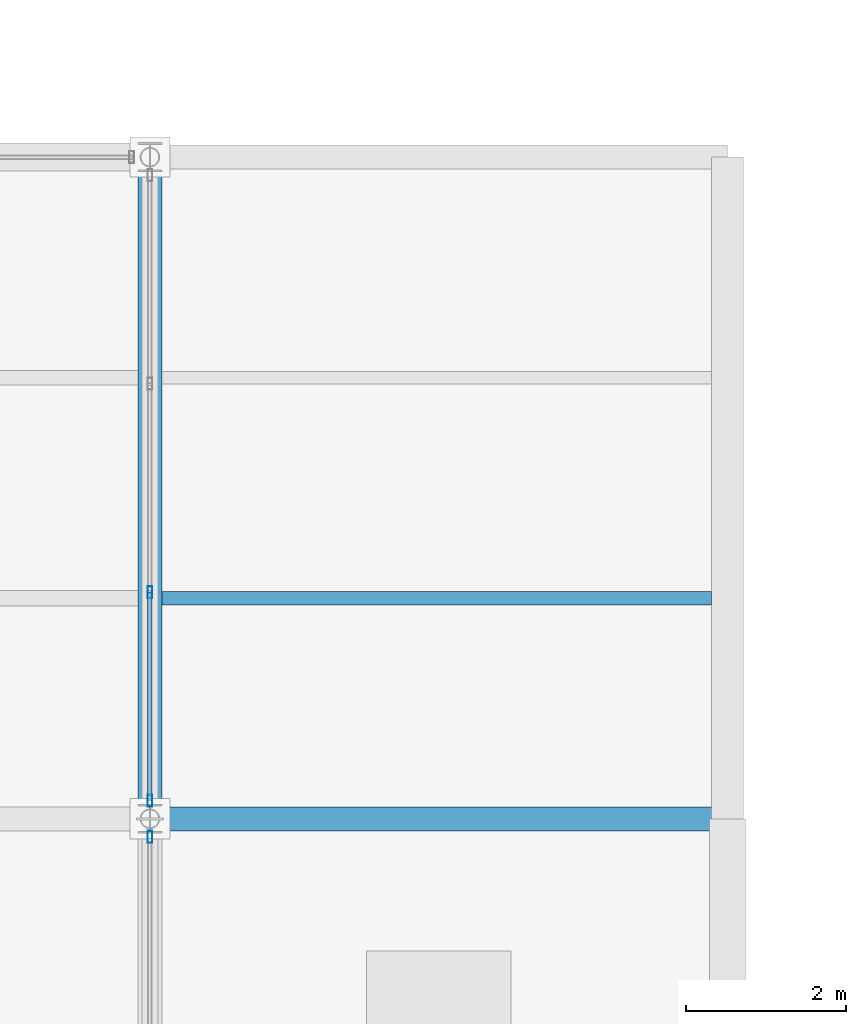
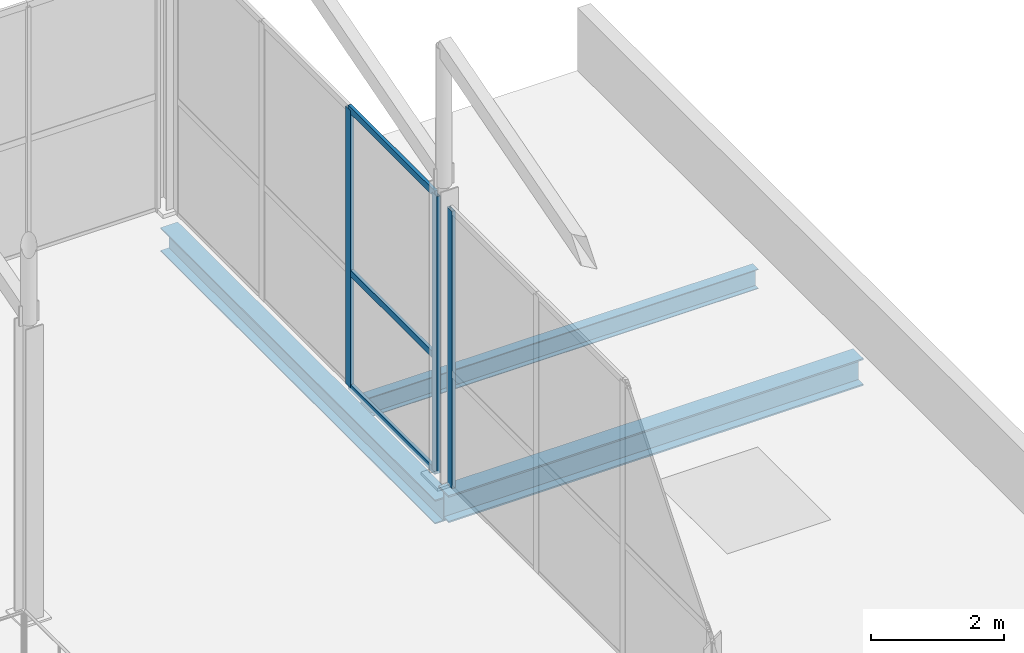
# One storey, part 70 of 141: 6 members, 3 beams, 2 elements without a shape of their own.
"""IFC4 building model written with IfcOpenShell, lengths in metres."""

from ifc_helpers import new_model, si_unit, direction, frame, origin, origin_2d, place, context, subcontext, project, spatial, hollow_rectangle, i_section, extrude, material, layer, layer_set, material_profile, profile_set, type_object, element, aggregate, save


model = new_model("IFC4")

# Units and contexts
model_context = context("Model", 3, precision=1e-05, world=origin(), true_north=direction((0.0, 1.0)))
body_context = subcontext(model_context, "Body", "Model", "MODEL_VIEW")
ifc_project = project(units=[si_unit("LENGTHUNIT", "METRE"), si_unit("AREAUNIT", "SQUARE_METRE"), si_unit("VOLUMEUNIT", "CUBIC_METRE"), si_unit("PLANEANGLEUNIT", "RADIAN"), si_unit("MASSUNIT", "GRAM", prefix="KILO")], contexts=[model_context])

# Site, building, storey
site_placement = place(None, origin())
site = spatial("IfcSite", under=ifc_project, at=site_placement, CompositionType="ELEMENT")
building_placement = place(site_placement, origin())
building = spatial("IfcBuilding", under=site, at=building_placement, Name="Sundgate Opera House", CompositionType="ELEMENT")
storey_placement = place(building_placement, frame((0.0, 0.0, 11.39990234375)))
storey = spatial("IfcBuildingStorey", under=building, at=storey_placement, Name="L02", CompositionType="ELEMENT", Elevation=11.39990234375)

# Beams
ifc_material_1 = material(Name="Steel S355J2", Category="steel")
ifc_material_profile_1 = material_profile(ifc_material_1, i_section(OverallWidth=0.300048828125, OverallDepth=0.43994140625, WebThickness=0.011474609375, FlangeThickness=0.02099609375, at=origin_2d()), Name="HEA 450")
ifc_profile_set_1 = profile_set([ifc_material_profile_1], Name="Steel S355J2")
beam_type_1 = type_object("IfcBeamType", Name="BM-GR-HEA450", PredefinedType="BEAM", material=ifc_profile_set_1)
beam_1_placement = place(storey_placement, frame((153.0, 24.75, -0.56982421875), z_axis=(0.0, 1.0, 0.0), x_axis=(-1.0, 0.0, 0.0)))
element("IfcBeam", 1, at=beam_1_placement, inside=storey, type_object=beam_type_1, Name="L02 Primary N-S Girder B1933", PredefinedType="BEAM", context=body_context, shape_type="SweptSolid", body=[
    extrude(i_section(OverallWidth=0.300048828125, OverallDepth=0.43994140625, WebThickness=0.011474609375, FlangeThickness=0.02099609375, at=origin_2d()), origin(), (0.0, 0.0, 1.0), 8.25),
])
ifc_material_2 = material(Name="Steel S355J2", Category="steel")
ifc_material_profile_2 = material_profile(ifc_material_2, i_section(OverallWidth=0.300048828125, OverallDepth=0.5, WebThickness=0.014404296875, FlangeThickness=0.028076171875, at=origin_2d()), Name="HEB 500")
ifc_profile_set_2 = profile_set([ifc_material_profile_2], Name="Steel S355J2")
beam_type_2 = type_object("IfcBeamType", Name="BM-GR-HEB500", PredefinedType="BEAM", material=ifc_profile_set_2)
beam_2_placement = place(storey_placement, frame((153.0, 24.75, -0.47998046875), z_axis=(1.0, 0.0, 0.0), x_axis=(0.0, 1.0, 0.0)))
element("IfcBeam", 2, at=beam_2_placement, inside=storey, type_object=beam_type_2, Name="L02 Primary E-W Girder B1993", PredefinedType="BEAM", context=body_context, shape_type="SweptSolid", body=[
    extrude(i_section(OverallWidth=0.300048828125, OverallDepth=0.5, WebThickness=0.014404296875, FlangeThickness=0.028076171875, at=origin_2d()), origin(), (0.0, 0.0, 1.0), 7.199951171875),
])
ifc_material_3 = material(Name="Steel S355J2", Category="steel")
ifc_material_profile_3 = material_profile(ifc_material_3, i_section(OverallWidth=0.169921875, OverallDepth=0.360107421875, WebThickness=0.008056640625, FlangeThickness=0.0126953125, at=origin_2d()), Name="IPE 360")
ifc_profile_set_3 = profile_set([ifc_material_profile_3], Name="Steel S355J2")
beam_type_3 = type_object("IfcBeamType", Name="BM-JS-IPE360", PredefinedType="JOIST", material=ifc_profile_set_3)
beam_3_placement = place(storey_placement, frame((153.14990234375, 27.5, -0.409912109375), z_axis=(1.0, 0.0, 0.0), x_axis=(0.0, 1.0, 0.0)))
element("IfcBeam", 3, at=beam_3_placement, inside=storey, type_object=beam_type_3, Name="L02 Secondary Floor Joist B2194", PredefinedType="JOIST", context=body_context, shape_type="SweptSolid", body=[
    extrude(i_section(OverallWidth=0.169921875, OverallDepth=0.360107421875, WebThickness=0.008056640625, FlangeThickness=0.0126953125, at=origin_2d()), origin(), (0.0, 0.0, 1.0), 6.85009765625),
])

# Curtain wall, member
ifc_material_4 = material(Name="Anodized aluminium and low-iron glass", Category="aluminium")
ifc_layer = layer(ifc_material_4, 0.14990234375)
ifc_layer_set = layer_set([ifc_layer], Name="Anodized aluminium and low-iron glass")
curtain_wall_type = type_object("IfcCurtainWallType", Name="CW-WORKSHOP-DARK", PredefinedType="NOTDEFINED", material=ifc_layer_set)
curtain_wall_1_placement = place(storey_placement, origin())
curtain_wall_1 = element("IfcCurtainWall", 4, at=curtain_wall_1_placement, inside=storey, type_object=curtain_wall_type, Name="L02 Curtain Wall CW166", PredefinedType="NOTDEFINED")
ifc_material_5 = material(Name="Anodized aluminium EN AW-6063", Category="aluminium")
ifc_material_profile_4 = material_profile(ifc_material_5, hollow_rectangle(XDim=0.06005859375, YDim=0.14990234375, WallThickness=0.00390625, at=origin_2d()), Name="CWM 150x60x4")
ifc_profile_set_4 = profile_set([ifc_material_profile_4], Name="Anodized aluminium EN AW-6063")
member_type_1 = type_object("IfcMemberType", Name="CWM-ALU-150x60", PredefinedType="MULLION", material=ifc_profile_set_4)
member_1_placement = place(storey_placement, frame((153.0, 24.52490234375, 0.0), z_axis=(0.0, 0.0, 1.0), x_axis=(1.0, 0.0, 0.0)))
member_1 = element("IfcMember", 5, at=member_1_placement, type_object=member_type_1, Name="CW166 Mullion 4", PredefinedType="MULLION", context=body_context, shape_type="SweptSolid", body=[
    extrude(hollow_rectangle(XDim=0.06005859375, YDim=0.14990234375, WallThickness=0.00390625, at=origin_2d()), origin(), (0.0, 0.0, 1.0), 5.085205078125),
])
aggregate(curtain_wall_1, [member_1])

# Curtain wall, members
curtain_wall_2_placement = place(storey_placement, origin())
curtain_wall_2 = element("IfcCurtainWall", 6, at=curtain_wall_2_placement, inside=storey, type_object=curtain_wall_type, Name="L02 Curtain Wall CW167", PredefinedType="NOTDEFINED")
member_2_placement = place(storey_placement, frame((153.0, 24.97509765625, 0.0), z_axis=(0.0, 0.0, 1.0), x_axis=(1.0, 0.0, 0.0)))
member_2 = element("IfcMember", 7, at=member_2_placement, type_object=member_type_1, Name="CW167 Mullion 1", PredefinedType="MULLION", context=body_context, shape_type="SweptSolid", body=[
    extrude(hollow_rectangle(XDim=0.06005859375, YDim=0.14990234375, WallThickness=0.00390625, at=origin_2d()), origin(), (0.0, 0.0, 1.0), 5.085205078125),
])
member_3_placement = place(storey_placement, frame((153.0, 27.574951171875, 0.0), z_axis=(0.0, 0.0, 1.0), x_axis=(1.0, 0.0, 0.0)))
member_3 = element("IfcMember", 8, at=member_3_placement, type_object=member_type_1, Name="CW167 Mullion 2", PredefinedType="MULLION", context=body_context, shape_type="SweptSolid", body=[
    extrude(hollow_rectangle(XDim=0.06005859375, YDim=0.14990234375, WallThickness=0.00390625, at=origin_2d()), origin(), (0.0, 0.0, 1.0), 5.085205078125),
])
ifc_material_6 = material(Name="Anodized aluminium EN AW-6063", Category="aluminium")
ifc_material_profile_5 = material_profile(ifc_material_6, hollow_rectangle(XDim=0.054931640625, YDim=0.1201171875, WallThickness=0.00390625, at=origin_2d()), Name="CWT 120x55x4")
ifc_profile_set_5 = profile_set([ifc_material_profile_5], Name="Anodized aluminium EN AW-6063")
member_type_2 = type_object("IfcMemberType", Name="CWT-ALU-120x55", PredefinedType="USERDEFINED", material=ifc_profile_set_5)
member_4_placement = place(storey_placement, frame((153.0, 24.97509765625, 0.0), z_axis=(0.0, 1.0, 0.0), x_axis=(-1.0, 0.0, 0.0)))
member_4 = element("IfcMember", 9, at=member_4_placement, type_object=member_type_2, Name="CW167 Transom 1", ObjectType="TRANSOM", PredefinedType="USERDEFINED", context=body_context, shape_type="SweptSolid", body=[
    extrude(hollow_rectangle(XDim=0.054931640625, YDim=0.1201171875, WallThickness=0.00390625, at=origin_2d()), origin(), (0.0, 0.0, 1.0), 2.599853515625),
])
member_5_placement = place(storey_placement, frame((153.0, 24.97509765625, 2.10009765625), z_axis=(0.0, 1.0, 0.0), x_axis=(-1.0, 0.0, 0.0)))
member_5 = element("IfcMember", 10, at=member_5_placement, type_object=member_type_2, Name="CW167 Transom 2", ObjectType="TRANSOM", PredefinedType="USERDEFINED", context=body_context, shape_type="SweptSolid", body=[
    extrude(hollow_rectangle(XDim=0.054931640625, YDim=0.1201171875, WallThickness=0.00390625, at=origin_2d()), origin(), (0.0, 0.0, 1.0), 2.599853515625),
])
member_6_placement = place(storey_placement, frame((153.0, 24.97509765625, 5.085205078125), z_axis=(0.0, 1.0, 0.0), x_axis=(-1.0, 0.0, 0.0)))
member_6 = element("IfcMember", 11, at=member_6_placement, type_object=member_type_2, Name="CW167 Transom 3", ObjectType="TRANSOM", PredefinedType="USERDEFINED", context=body_context, shape_type="SweptSolid", body=[
    extrude(hollow_rectangle(XDim=0.054931640625, YDim=0.1201171875, WallThickness=0.00390625, at=origin_2d()), origin(), (0.0, 0.0, 1.0), 2.599853515625),
])
aggregate(curtain_wall_2, [member_2, member_3, member_4, member_5, member_6])

save(model, "model.ifc")
